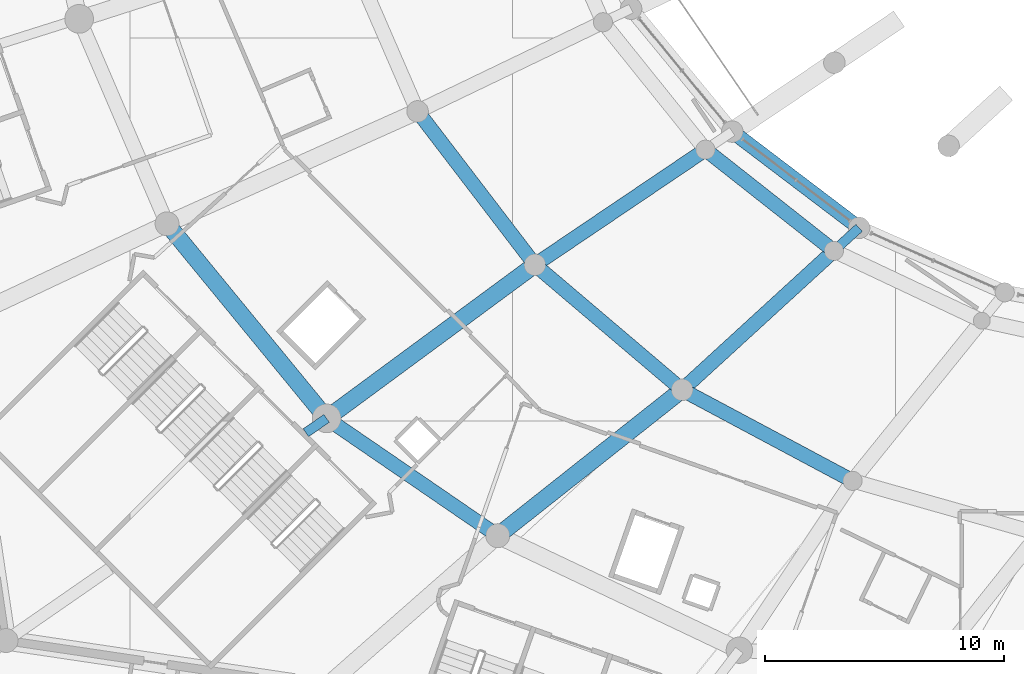
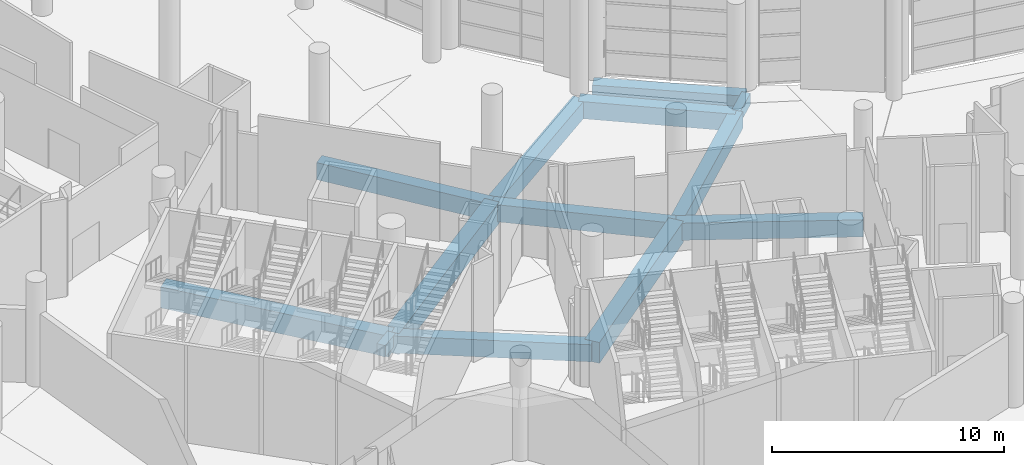
# One storey, part 14 of 271: 13 beams.
"""IFC4 building model written with IfcOpenShell, lengths in metres."""

from ifc_helpers import new_model, si_unit, direction, frame, origin, origin_2d, place, context, subcontext, project, spatial, rectangle, extrude, material, material_profile, profile_set, type_object, element, save


model = new_model("IFC4")

# Units and contexts
model_context = context("Model", 3, precision=1e-05, world=origin(), true_north=direction((0.0, 1.0)))
body_context = subcontext(model_context, "Body", "Model", "MODEL_VIEW")
ifc_project = project(units=[si_unit("LENGTHUNIT", "METRE"), si_unit("AREAUNIT", "SQUARE_METRE"), si_unit("VOLUMEUNIT", "CUBIC_METRE"), si_unit("PLANEANGLEUNIT", "RADIAN"), si_unit("MASSUNIT", "GRAM", prefix="KILO")], contexts=[model_context])

# Site, building, storey
site_placement = place(None, origin())
site = spatial("IfcSite", under=ifc_project, at=site_placement, CompositionType="ELEMENT")
building_placement = place(site_placement, origin())
building = spatial("IfcBuilding", under=site, at=building_placement, Name="Meseta Stadium", CompositionType="ELEMENT")
storey_placement = place(building_placement, frame((0.0, 0.0, 6.5)))
storey = spatial("IfcBuildingStorey", under=building, at=storey_placement, Name="L01", CompositionType="ELEMENT", Elevation=6.5)

# Beams
ifc_material_1 = material(Name="Concrete C40/50", Category="concrete")
ifc_material_profile_1 = material_profile(ifc_material_1, rectangle(XDim=0.39990234375, YDim=0.60009765625, at=origin_2d()), Name="RC 400x600")
ifc_profile_set_1 = profile_set([ifc_material_profile_1], Name="Concrete C40/50")
beam_type_1 = type_object("IfcBeamType", Name="RC beam 400x600", PredefinedType="BEAM", material=ifc_profile_set_1)
beam_1_placement = place(storey_placement, frame((-71.775390625, -79.888916015625, -0.64990234375), z_axis=(-0.821959126475, -0.569546481337, 0.0), x_axis=(0.569546481337, -0.821959126475, 0.0)))
element("IfcBeam", 1, at=beam_1_placement, inside=storey, type_object=beam_type_1, Name="L01 radial beam frame 40 line P to R", PredefinedType="BEAM", context=body_context, shape_type="SweptSolid", body=[
    extrude(rectangle(XDim=0.39990234375, YDim=0.60009765625, at=origin_2d()), origin(), (0.0, 0.0, 1.0), 1.05615234375),
])
beam_2_placement = place(storey_placement, frame((-49.518310546875, -71.924560546875, -0.64990234375), z_axis=(-0.737537238319, -0.675306465313, 0.0), x_axis=(0.675306465313, -0.737537238319, 0.0)))
element("IfcBeam", 2, at=beam_2_placement, inside=storey, type_object=beam_type_1, Name="L01 radial beam frame 41 line C to D", PredefinedType="BEAM", context=body_context, shape_type="SweptSolid", body=[
    extrude(rectangle(XDim=0.39990234375, YDim=0.60009765625, at=origin_2d()), origin(), (0.0, 0.0, 1.0), 1.427978515625),
])
ifc_material_2 = material(Name="Concrete C40/50", Category="concrete")
ifc_material_profile_2 = material_profile(ifc_material_2, rectangle(XDim=0.60009765625, YDim=0.89990234375, at=origin_2d()), Name="RC 600x900")
ifc_profile_set_2 = profile_set([ifc_material_profile_2], Name="Concrete C40/50")
beam_type_2 = type_object("IfcBeamType", Name="RC beam 600x900", PredefinedType="BEAM", material=ifc_profile_set_2)
beam_3_placement = place(storey_placement, frame((-67.972412109375, -67.057861328125, -0.800048828125), z_axis=(0.607521948786, -0.794302890428, 0.0), x_axis=(0.794302890428, 0.607521948786, 0.0)))
element("IfcBeam", 3, at=beam_3_placement, inside=storey, type_object=beam_type_2, Name="L01 ring beam frame 39 line E", PredefinedType="BEAM", context=body_context, shape_type="SweptSolid", body=[
    extrude(rectangle(XDim=0.60009765625, YDim=0.89990234375, at=origin_2d()), origin(), (0.0, 0.0, 1.0), 8.072509765625),
])
beam_4_placement = place(storey_placement, frame((-54.819580078125, -67.901611328125, -0.800048828125), z_axis=(0.796597456173, -0.604510126316, 0.0), x_axis=(0.604510126316, 0.796597456173, 0.0)))
element("IfcBeam", 4, at=beam_4_placement, inside=storey, type_object=beam_type_2, Name="L01 ring beam frame 40 line C", PredefinedType="BEAM", context=body_context, shape_type="SweptSolid", body=[
    extrude(rectangle(XDim=0.60009765625, YDim=0.89990234375, at=origin_2d()), origin(), (0.0, 0.0, 1.0), 6.65478515625),
])
beam_5_placement = place(storey_placement, frame((-55.940185546875, -68.658203125, -0.800048828125), z_axis=(0.785430108596, -0.618950357065, 0.0), x_axis=(0.618950357065, 0.785430108596, 0.0)))
element("IfcBeam", 5, at=beam_5_placement, inside=storey, type_object=beam_type_2, Name="L01 ring beam frame 40 line D", PredefinedType="BEAM", context=body_context, shape_type="SweptSolid", body=[
    extrude(rectangle(XDim=0.60009765625, YDim=0.89990234375, at=origin_2d()), origin(), (0.0, 0.0, 1.0), 6.835205078125),
])
beam_6_placement = place(storey_placement, frame((-63.068115234375, -73.469970703125, -0.800048828125), z_axis=(0.762201166724, -0.647340236231, 0.0), x_axis=(0.647340236231, 0.762201166724, 0.0)))
element("IfcBeam", 6, at=beam_6_placement, inside=storey, type_object=beam_type_2, Name="L01 ring beam frame 40 line E", PredefinedType="BEAM", context=body_context, shape_type="SweptSolid", body=[
    extrude(rectangle(XDim=0.60009765625, YDim=0.89990234375, at=origin_2d()), origin(), (0.0, 0.0, 1.0), 8.07275390625),
])
beam_7_placement = place(storey_placement, frame((-71.775390625, -79.888916015625, -0.800048828125), z_axis=(0.824813247637, -0.565405258662, 0.0), x_axis=(0.565405258662, 0.824813247637, 0.0)))
element("IfcBeam", 7, at=beam_7_placement, inside=storey, type_object=beam_type_2, Name="L01 ring beam frame 40 line P", PredefinedType="BEAM", context=body_context, shape_type="SweptSolid", body=[
    extrude(rectangle(XDim=0.60009765625, YDim=0.89990234375, at=origin_2d()), origin(), (0.0, 0.0, 1.0), 8.672607421875),
])
beam_8_placement = place(storey_placement, frame((-56.9150390625, -78.69580078125, -0.800048828125), z_axis=(0.882172948557, -0.47092556613, 0.0), x_axis=(0.47092556613, 0.882172948557, 0.0)))
element("IfcBeam", 8, at=beam_8_placement, inside=storey, type_object=beam_type_2, Name="L01 ring beam frame 41 line E", PredefinedType="BEAM", context=body_context, shape_type="SweptSolid", body=[
    extrude(rectangle(XDim=0.60009765625, YDim=0.89990234375, at=origin_2d()), origin(), (0.0, 0.0, 1.0), 8.075439453125),
])
for number, where, z_axis, x_axis, name in (
    (9, (-55.940185546875, -68.658203125, -0.800048828125), (-0.828826294275, -0.559506008832, 0.0), (0.559506008832, -0.828826294275, 0.0), "L01 radial beam frame 40 line D to E"),
    (10, (-50.571533203125, -72.888916015625, -0.800048828125), (-0.737617073742, -0.675219262554, 0.0), (0.675219262554, -0.737617073742, 0.0), "L01 radial beam frame 41 line D to E"),
):
    element("IfcBeam", number, at=place(storey_placement, frame(where, z_axis=z_axis, x_axis=x_axis)), inside=storey, type_object=beam_type_2, Name=name, PredefinedType="BEAM", context=body_context, shape_type="SweptSolid", body=[
        extrude(rectangle(XDim=0.60009765625, YDim=0.89990234375, at=origin_2d()), origin(), (0.0, 0.0, 1.0), 8.60009765625),
    ])
ifc_material_3 = material(Name="Concrete C40/50", Category="concrete")
ifc_material_profile_3 = material_profile(ifc_material_3, rectangle(XDim=0.699951171875, YDim=1.10009765625, at=origin_2d()), Name="RC 700x1100")
ifc_profile_set_3 = profile_set([ifc_material_profile_3], Name="Concrete C40/50")
beam_type_3 = type_object("IfcBeamType", Name="RC beam 700x1100", PredefinedType="BEAM", material=ifc_profile_set_3)
beam_9_placement = place(storey_placement, frame((-78.4453125, -71.756103515625, -0.89990234375), z_axis=(0.634137323649, -0.773220443829, 0.0), x_axis=(0.773220443829, 0.634137323649, 0.0)))
element("IfcBeam", 11, at=beam_9_placement, inside=storey, type_object=beam_type_3, Name="L01 ring beam frame 39 line P", PredefinedType="BEAM", context=body_context, shape_type="SweptSolid", body=[
    extrude(rectangle(XDim=0.699951171875, YDim=1.10009765625, at=origin_2d()), origin(), (0.0, 0.0, 1.0), 10.51806640625),
])
beam_10_placement = place(storey_placement, frame((-63.068115234375, -73.469970703125, -0.89990234375), z_axis=(-0.804920808124, -0.593382248344, 0.0), x_axis=(0.593382248344, -0.804920808124, 0.0)))
element("IfcBeam", 12, at=beam_10_placement, inside=storey, type_object=beam_type_3, Name="L01 radial beam frame 40 line E to P", PredefinedType="BEAM", context=body_context, shape_type="SweptSolid", body=[
    extrude(rectangle(XDim=0.699951171875, YDim=1.10009765625, at=origin_2d()), origin(), (0.0, 0.0, 1.0), 10.817626953125),
])
beam_11_placement = place(storey_placement, frame((-56.9150390625, -78.69580078125, -0.89990234375), z_axis=(-0.784279521113, -0.620407634352, 0.0), x_axis=(0.620407634352, -0.784279521113, 0.0)))
element("IfcBeam", 13, at=beam_11_placement, inside=storey, type_object=beam_type_3, Name="L01 radial beam frame 41 line E to P", PredefinedType="BEAM", context=body_context, shape_type="SweptSolid", body=[
    extrude(rectangle(XDim=0.699951171875, YDim=1.10009765625, at=origin_2d()), origin(), (0.0, 0.0, 1.0), 9.826904296875),
])

save(model, "model.ifc")
